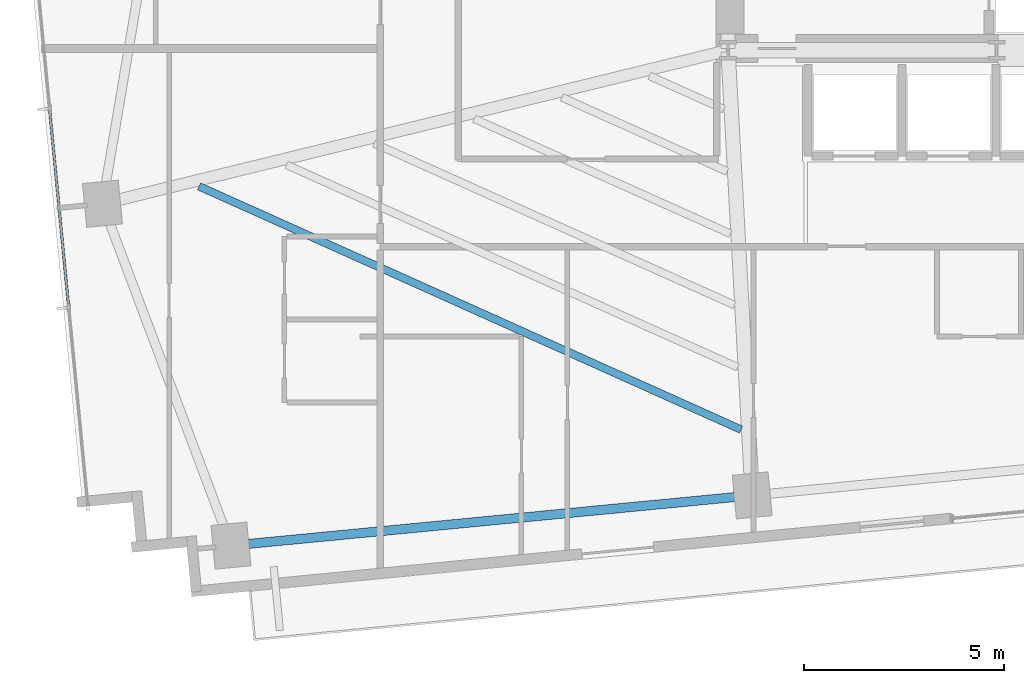
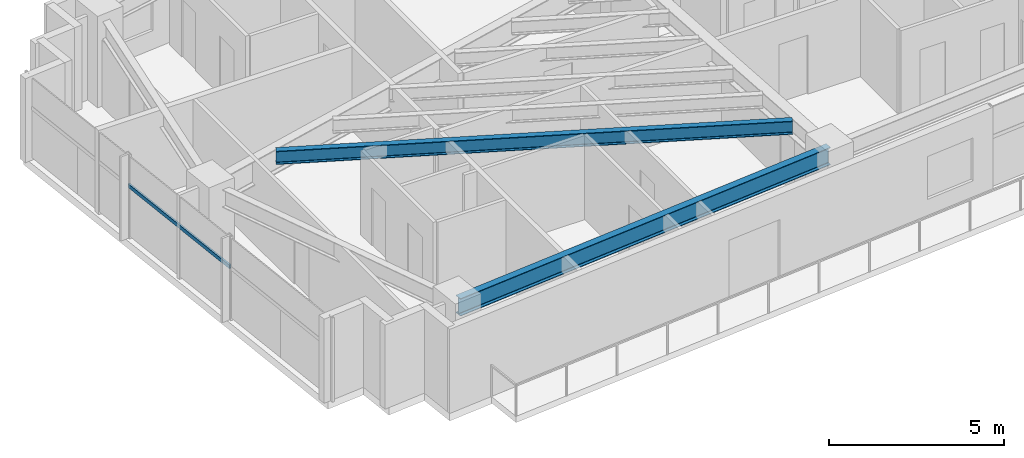
# One storey, part 3 of 27: 2 beams, 1 member, 1 element without a shape of its own.
"""IFC4 building model written with IfcOpenShell, lengths in metres."""

from ifc_helpers import new_model, si_unit, direction, frame, origin, origin_2d, place, context, subcontext, project, spatial, hollow_rectangle, i_section, extrude, source, transform, mapped, material, material_profile, profile_set, type_object, type_shapes, element, aggregate, save


model = new_model("IFC4")

# Units and contexts
model_context = context("Model", 3, precision=1e-05, world=origin(), true_north=direction((0.0, 1.0)))
body_context = subcontext(model_context, "Body", "Model", "MODEL_VIEW")
ifc_project = project(units=[si_unit("LENGTHUNIT", "METRE"), si_unit("AREAUNIT", "SQUARE_METRE"), si_unit("VOLUMEUNIT", "CUBIC_METRE"), si_unit("PLANEANGLEUNIT", "RADIAN"), si_unit("MASSUNIT", "GRAM", prefix="KILO")], contexts=[model_context])

# Site, building, storey
site_placement = place(None, origin())
site = spatial("IfcSite", under=ifc_project, at=site_placement, CompositionType="ELEMENT")
building_placement = place(site_placement, origin())
building = spatial("IfcBuilding", under=site, at=building_placement, Name="Astriad Promenade Condominiums", CompositionType="ELEMENT")
storey_placement = place(building_placement, frame((0.0, 0.0, 84.199951171875)))
storey = spatial("IfcBuildingStorey", under=building, at=storey_placement, Name="L23", CompositionType="ELEMENT", Elevation=84.199951171875)

# Beams
ifc_material_1 = material(Name="Steel ASTM A992 Grade 50", Category="steel")
ifc_material_profile_1 = material_profile(ifc_material_1, i_section(OverallWidth=0.22900390625, OverallDepth=0.612060546875, WebThickness=0.011962890625, FlangeThickness=0.01953125, FilletRadius=0.017822265625, at=origin_2d()), Name="W24X84")
ifc_profile_set_1 = profile_set([ifc_material_profile_1], Name="Steel ASTM A992 Grade 50")
beam_type_1 = type_object("IfcBeamType", Name="STEEL SPANDREL BEAM W24X84", PredefinedType="SPANDREL", material=ifc_profile_set_1)
shared_shape_1 = source(origin(), body_context, "Body", "SweptSolid", [
    extrude(i_section(OverallWidth=0.22900390625, OverallDepth=0.612060546875, WebThickness=0.011962890625, FlangeThickness=0.01953125, FilletRadius=0.017822265625, at=origin_2d()), origin(), (0.0, 0.0, 1.0), 13.02001953125),
])
type_shapes(beam_type_1, [shared_shape_1])
beam_1_placement = place(storey_placement, frame((14.005859375, 5.01318359375, 2.634033203125), z_axis=(0.995395138946, 0.095856754395, 0.0), x_axis=(-0.095856754395, 0.995395138946, 0.0)))
element("IfcBeam", 1, at=beam_1_placement, inside=storey, type_object=beam_type_1, Name="Perimeter Spandrel Beam SP-S1-L23", PredefinedType="SPANDREL", context=body_context, shape_type="MappedRepresentation", body=[
    mapped(shared_shape_1, transform((0.0, 0.0, 0.0), scale=1.0)),
])
ifc_material_profile_2 = material_profile(ifc_material_1, i_section(OverallWidth=0.19287109375, OverallDepth=0.466064453125, WebThickness=0.011474609375, FlangeThickness=0.01904296875, FilletRadius=0.01513671875, at=origin_2d()), Name="W18X65")
ifc_profile_set_2 = profile_set([ifc_material_profile_2], Name="Steel ASTM A992 Grade 50")
beam_type_2 = type_object("IfcBeamType", Name="STEEL FLOOR JOIST W18X65", PredefinedType="JOIST", material=ifc_profile_set_2)
shared_shape_2 = source(origin(), body_context, "Body", "SweptSolid", [
    extrude(i_section(OverallWidth=0.19287109375, OverallDepth=0.466064453125, WebThickness=0.011474609375, FlangeThickness=0.01904296875, FilletRadius=0.01513671875, at=origin_2d()), origin(), (0.0, 0.0, 1.0), 14.863037109375),
])
type_shapes(beam_type_2, [shared_shape_2])
beam_2_placement = place(storey_placement, frame((13.168212890625, 13.996826171875, 2.70703125), z_axis=(0.912311114602, -0.409497777984, 0.0), x_axis=(0.409497777984, 0.912311114602, 0.0)))
element("IfcBeam", 2, at=beam_2_placement, inside=storey, type_object=beam_type_2, Name="Secondary Composite Floor Joist JW1-1-L23", PredefinedType="JOIST", context=body_context, shape_type="MappedRepresentation", body=[
    mapped(shared_shape_2, transform((0.0, 0.0, 0.0), scale=1.0)),
])

# Curtain wall, member
ifc_material_2 = material(Name="Anodised aluminium Black Dark Glass Unitised", Category="aluminium")
curtain_wall_type = type_object("IfcCurtainWallType", Name="CW-B2-DARK", PredefinedType="USERDEFINED", material=ifc_material_2)
curtain_wall_placement = place(storey_placement, origin())
curtain_wall = element("IfcCurtainWall", 3, at=curtain_wall_placement, inside=storey, type_object=curtain_wall_type, Name="CW-L23-W", ObjectType="UNITISED_CURTAIN_WALL", PredefinedType="USERDEFINED")
ifc_material_3 = material(Name="Anodised aluminium 6063-T6 Black", Category="aluminium")
ifc_material_profile_3 = material_profile(ifc_material_3, hollow_rectangle(XDim=0.06494140625, YDim=0.1298828125, WallThickness=0.00390625, at=origin_2d()), Name="ALU-TRN-65X130")
ifc_profile_set_3 = profile_set([ifc_material_profile_3], Name="Anodised aluminium 6063-T6 Black")
member_type = type_object("IfcMemberType", Name="TRN-ALU-TRN-65X130", PredefinedType="USERDEFINED", material=ifc_profile_set_3)
shared_shape_3 = source(origin(), body_context, "Body", "SweptSolid", [
    extrude(hollow_rectangle(XDim=0.06494140625, YDim=0.1298828125, WallThickness=0.00390625, at=origin_2d()), origin(), (0.0, 0.0, 1.0), 5.0),
])
type_shapes(member_type, [shared_shape_3])
member_placement = place(storey_placement, frame((9.90625, 10.9677734375, 1.82275390625), z_axis=(-0.095848242264, 0.995395958629, 0.0), x_axis=(-0.995395958629, -0.095848242264, 0.0)))
member = element("IfcMember", 4, at=member_placement, type_object=member_type, Name="CW-L23-W-TRN-01-0", ObjectType="TRANSOM", PredefinedType="USERDEFINED", context=body_context, shape_type="MappedRepresentation", body=[
    mapped(shared_shape_3, transform((0.0, 0.0, 0.0), scale=1.0)),
])
aggregate(curtain_wall, [member])

save(model, "model.ifc")
